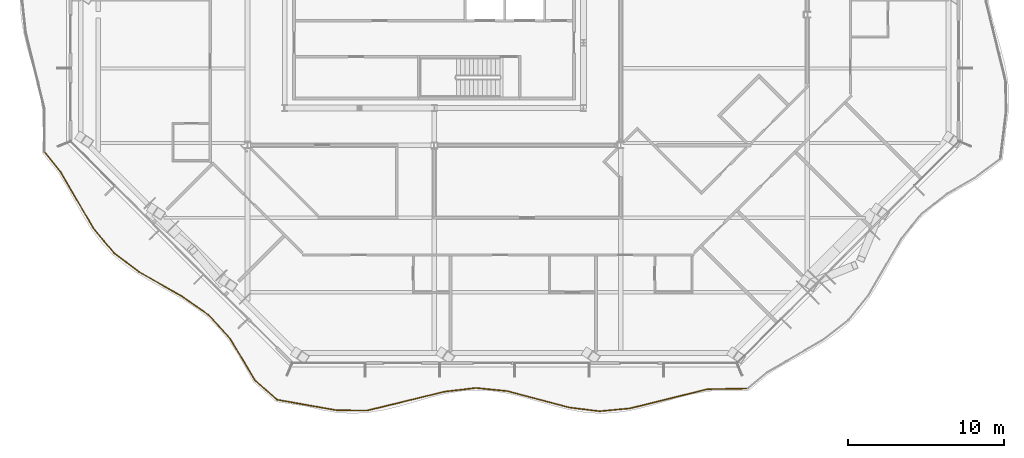
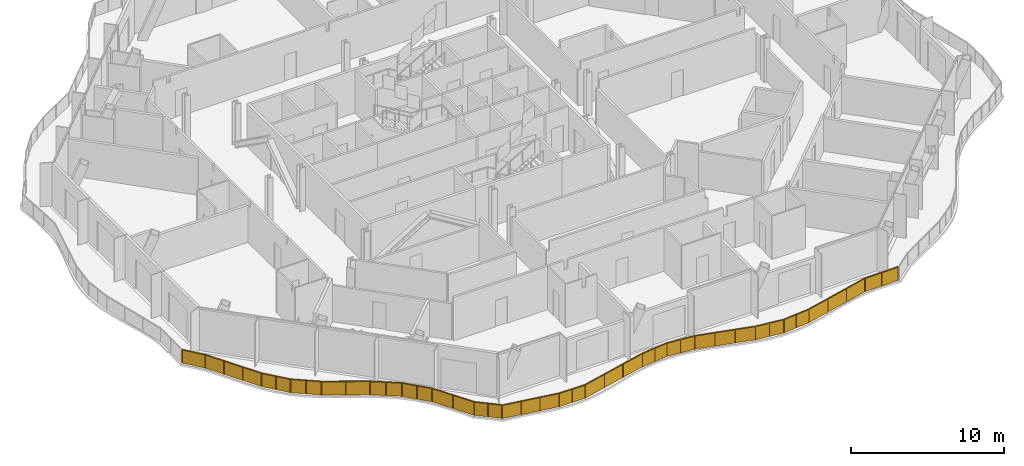
# One storey, part 14 of 19: 2 railings.
"""IFC4 building model written with IfcOpenShell, lengths in metres."""

from ifc_helpers import new_model, si_unit, direction, frame, origin, origin_2d, place, context, subcontext, project, spatial, polyline, rectangle, outline, extrude, material, type_object, element, save


model = new_model("IFC4")

# Units and contexts
model_context = context("Model", 3, precision=1e-05, world=origin(), true_north=direction((0.0, 1.0)))
body_context = subcontext(model_context, "Body", "Model", "MODEL_VIEW")
ifc_project = project(units=[si_unit("LENGTHUNIT", "METRE"), si_unit("AREAUNIT", "SQUARE_METRE"), si_unit("VOLUMEUNIT", "CUBIC_METRE"), si_unit("PLANEANGLEUNIT", "RADIAN"), si_unit("MASSUNIT", "GRAM", prefix="KILO")], contexts=[model_context])

# Site, building, storey
site_placement = place(None, origin())
site = spatial("IfcSite", under=ifc_project, at=site_placement, CompositionType="ELEMENT")
building_placement = place(site_placement, origin())
building = spatial("IfcBuilding", under=site, at=building_placement, Name="Cairn Pilgrim Tower", CompositionType="ELEMENT")
storey_placement = place(building_placement, frame((0.0, 0.0, 190.199951171875)))
storey = spatial("IfcBuildingStorey", under=building, at=storey_placement, Name="L48", CompositionType="ELEMENT", Elevation=190.199951171875)

# Railings
ifc_material = material(Name="Bronze anodised aluminium rail and posts with laminated glass infill", Category="aluminium")
railing_type = type_object("IfcRailingType", Name="BALCONY GUARD 1100", PredefinedType="GUARDRAIL", material=ifc_material)
railing_1_placement = place(storey_placement, frame((-17.84326171875, -8.84619140625, 0.0)))
element("IfcRailing", 1, at=railing_1_placement, inside=storey, type_object=railing_type, Name="Balcony guard BG-2", PredefinedType="GUARDRAIL", context=body_context, shape_type="SweptSolid", body=[
    extrude(rectangle(XDim=0.050048828125, YDim=0.050048828125, at=origin_2d()), frame((0.0, 0.0, 1.0751953125), z_axis=(0.62927121913, -0.777185777517, 0.0), x_axis=(0.777185777517, 0.62927121913, 0.0)), (0.0, 0.0, 1.0), 1.6357421875),
    extrude(rectangle(XDim=0.050048828125, YDim=0.050048828125, at=origin_2d()), frame((1.029296875, -1.271240234375, 1.0751953125), z_axis=(0.503445573056, -0.864026941113, 0.0), x_axis=(0.864026941113, 0.503445573056, 0.0)), (0.0, 0.0, 1.0), 4.210693359375),
    extrude(rectangle(XDim=0.050048828125, YDim=0.050048828125, at=origin_2d()), frame((3.149169921875, -4.909423828125, 1.0751953125), z_axis=(0.642148671766, -0.766580121937, 0.0), x_axis=(0.766580121937, 0.642148671766, 0.0)), (0.0, 0.0, 1.0), 2.01513671875),
    extrude(rectangle(XDim=0.050048828125, YDim=0.050048828125, at=origin_2d()), frame((4.443115234375, -6.4541015625, 1.0751953125), z_axis=(0.794856499993, -0.606797449252, 0.0), x_axis=(0.606797449252, 0.794856499993, 0.0)), (0.0, 0.0, 1.0), 2.02783203125),
    extrude(rectangle(XDim=0.050048828125, YDim=0.050048828125, at=origin_2d()), frame((6.054931640625, -7.6845703125, 1.0751953125), z_axis=(0.869875515551, -0.493271312205, 0.0), x_axis=(0.493271312205, 0.869875515551, 0.0)), (0.0, 0.0, 1.0), 3.166259765625),
    extrude(rectangle(XDim=0.050048828125, YDim=0.050048828125, at=origin_2d()), frame((8.80908203125, -9.246337890625, 1.0751953125), z_axis=(0.818237718742, -0.574880018463, 0.0), x_axis=(0.574880018463, 0.818237718742, 0.0)), (0.0, 0.0, 1.0), 2.0908203125),
    extrude(rectangle(XDim=0.050048828125, YDim=0.050048828125, at=origin_2d()), frame((10.519775390625, -10.4482421875, 1.0751953125), z_axis=(0.677373311825, -0.735639447302, 0.0), x_axis=(0.735639447302, 0.677373311825, 0.0)), (0.0, 0.0, 1.0), 2.06982421875),
    extrude(rectangle(XDim=0.050048828125, YDim=0.050048828125, at=origin_2d()), frame((11.921875, -11.970947265625, 1.0751953125), z_axis=(0.512632145142, -0.85860834131, 0.0), x_axis=(0.85860834131, 0.512632145142, 0.0)), (0.0, 0.0, 1.0), 3.142333984375),
    extrude(rectangle(XDim=0.050048828125, YDim=0.050048828125, at=origin_2d()), frame((13.53271484375, -14.6689453125, 1.0751953125), z_axis=(0.752287169456, -0.658835347163, 0.0), x_axis=(0.658835347163, 0.752287169456, 0.0)), (0.0, 0.0, 1.0), 1.82861328125),
    extrude(rectangle(XDim=0.050048828125, YDim=0.050048828125, at=origin_2d()), origin(), (0.0, 0.0, 1.0), 1.050048828125),
    extrude(rectangle(XDim=0.050048828125, YDim=0.050048828125, at=origin_2d()), frame((1.029296875, -1.271240234375, 0.0)), (0.0, 0.0, 1.0), 1.050048828125),
    extrude(rectangle(XDim=0.050048828125, YDim=0.050048828125, at=origin_2d()), frame((1.73583984375, -2.48388671875, 0.0)), (0.0, 0.0, 1.0), 1.050048828125),
    extrude(rectangle(XDim=0.050048828125, YDim=0.050048828125, at=origin_2d()), frame((2.442626953125, -3.69677734375, 0.0)), (0.0, 0.0, 1.0), 1.050048828125),
    extrude(rectangle(XDim=0.050048828125, YDim=0.050048828125, at=origin_2d()), frame((3.149169921875, -4.909423828125, 0.0)), (0.0, 0.0, 1.0), 1.050048828125),
    extrude(rectangle(XDim=0.050048828125, YDim=0.050048828125, at=origin_2d()), frame((3.796142578125, -5.681640625, 0.0)), (0.0, 0.0, 1.0), 1.050048828125),
    extrude(rectangle(XDim=0.050048828125, YDim=0.050048828125, at=origin_2d()), frame((4.443115234375, -6.4541015625, 0.0)), (0.0, 0.0, 1.0), 1.050048828125),
    extrude(rectangle(XDim=0.050048828125, YDim=0.050048828125, at=origin_2d()), frame((5.2490234375, -7.0693359375, 0.0)), (0.0, 0.0, 1.0), 1.050048828125),
    extrude(rectangle(XDim=0.050048828125, YDim=0.050048828125, at=origin_2d()), frame((6.054931640625, -7.6845703125, 0.0)), (0.0, 0.0, 1.0), 1.050048828125),
    extrude(rectangle(XDim=0.050048828125, YDim=0.050048828125, at=origin_2d()), frame((7.43212890625, -8.46533203125, 0.0)), (0.0, 0.0, 1.0), 1.050048828125),
    extrude(rectangle(XDim=0.050048828125, YDim=0.050048828125, at=origin_2d()), frame((8.80908203125, -9.246337890625, 0.0)), (0.0, 0.0, 1.0), 1.050048828125),
    extrude(rectangle(XDim=0.050048828125, YDim=0.050048828125, at=origin_2d()), frame((9.66455078125, -9.84716796875, 0.0)), (0.0, 0.0, 1.0), 1.050048828125),
    extrude(rectangle(XDim=0.050048828125, YDim=0.050048828125, at=origin_2d()), frame((10.519775390625, -10.4482421875, 0.0)), (0.0, 0.0, 1.0), 1.050048828125),
    extrude(rectangle(XDim=0.050048828125, YDim=0.050048828125, at=origin_2d()), frame((11.220703125, -11.20947265625, 0.0)), (0.0, 0.0, 1.0), 1.050048828125),
    extrude(rectangle(XDim=0.050048828125, YDim=0.050048828125, at=origin_2d()), frame((11.921875, -11.970947265625, 0.0)), (0.0, 0.0, 1.0), 1.050048828125),
    extrude(rectangle(XDim=0.050048828125, YDim=0.050048828125, at=origin_2d()), frame((12.727294921875, -13.31982421875, 0.0)), (0.0, 0.0, 1.0), 1.050048828125),
    extrude(rectangle(XDim=0.050048828125, YDim=0.050048828125, at=origin_2d()), frame((13.53271484375, -14.6689453125, 0.0)), (0.0, 0.0, 1.0), 1.050048828125),
    extrude(rectangle(XDim=0.050048828125, YDim=0.050048828125, at=origin_2d()), frame((14.220703125, -15.271484375, 0.0)), (0.0, 0.0, 1.0), 1.050048828125),
    extrude(rectangle(XDim=0.050048828125, YDim=0.050048828125, at=origin_2d()), frame((14.908447265625, -15.873779296875, 0.0)), (0.0, 0.0, 1.0), 1.050048828125),
    extrude(outline(polyline([(0.02490234375, 0.0), (1.610595703125, 0.0), (1.610595703125, 1.050048828125), (0.02490234375, 1.050048828125), (0.02490234375, 0.0)])), frame((0.004638671875, 0.003662109375, 0.0), z_axis=(-0.777185777517, -0.62927121913, 0.0), x_axis=(0.62927121913, -0.777185777517, 0.0)), (0.0, 0.0, 1.0), 0.011962890625),
    extrude(outline(polyline([(0.02490234375, 0.0), (1.378662109375, 0.0), (1.378662109375, 1.050048828125), (0.02490234375, 1.050048828125), (0.02490234375, 0.0)])), frame((1.034423828125, -1.268310546875, 0.0), z_axis=(-0.864026941113, -0.503445573056, 0.0), x_axis=(0.503445573056, -0.864026941113, 0.0)), (0.0, 0.0, 1.0), 0.011962890625),
    extrude(outline(polyline([(0.02490234375, 0.0), (1.378662109375, 0.0), (1.378662109375, 1.050048828125), (0.02490234375, 1.050048828125), (0.02490234375, 0.0)])), frame((1.7412109375, -2.48095703125, 0.0), z_axis=(-0.864026941113, -0.503445573056, 0.0), x_axis=(0.503445573056, -0.864026941113, 0.0)), (0.0, 0.0, 1.0), 0.011962890625),
    extrude(outline(polyline([(0.02490234375, 0.0), (1.378662109375, 0.0), (1.378662109375, 1.050048828125), (0.02490234375, 1.050048828125), (0.02490234375, 0.0)])), frame((2.44775390625, -3.693603515625, 0.0), z_axis=(-0.864026941113, -0.503445573056, 0.0), x_axis=(0.503445573056, -0.864026941113, 0.0)), (0.0, 0.0, 1.0), 0.011962890625),
    extrude(outline(polyline([(0.02490234375, 0.0), (0.982421875, 0.0), (0.982421875, 1.050048828125), (0.02490234375, 1.050048828125), (0.02490234375, 0.0)])), frame((3.15380859375, -4.905517578125, 0.0), z_axis=(-0.766580121937, -0.642148671766, 0.0), x_axis=(0.642148671766, -0.766580121937, 0.0)), (0.0, 0.0, 1.0), 0.011962890625),
    extrude(outline(polyline([(0.02490234375, 0.0), (0.982421875, 0.0), (0.982421875, 1.050048828125), (0.02490234375, 1.050048828125), (0.02490234375, 0.0)])), frame((3.80078125, -5.677978515625, 0.0), z_axis=(-0.766580121937, -0.642148671766, 0.0), x_axis=(0.642148671766, -0.766580121937, 0.0)), (0.0, 0.0, 1.0), 0.011962890625),
    extrude(outline(polyline([(0.02490234375, 0.0), (0.98876953125, 0.0), (0.98876953125, 1.050048828125), (0.02490234375, 1.050048828125), (0.02490234375, 0.0)])), frame((4.44677734375, -6.449462890625, 0.0), z_axis=(-0.606797449252, -0.794856499993, 0.0), x_axis=(0.794856499993, -0.606797449252, 0.0)), (0.0, 0.0, 1.0), 0.011962890625),
    extrude(outline(polyline([(0.02490234375, 0.0), (0.98876953125, 0.0), (0.98876953125, 1.050048828125), (0.02490234375, 1.050048828125), (0.02490234375, 0.0)])), frame((5.252685546875, -7.064697265625, 0.0), z_axis=(-0.606797449252, -0.794856499993, 0.0), x_axis=(0.794856499993, -0.606797449252, 0.0)), (0.0, 0.0, 1.0), 0.011962890625),
    extrude(outline(polyline([(0.02490234375, 0.0), (1.55810546875, 0.0), (1.55810546875, 1.050048828125), (0.02490234375, 1.050048828125), (0.02490234375, 0.0)])), frame((6.057861328125, -7.679443359375, 0.0), z_axis=(-0.493271312205, -0.869875515551, 0.0), x_axis=(0.869875515551, -0.493271312205, 0.0)), (0.0, 0.0, 1.0), 0.011962890625),
    extrude(outline(polyline([(0.02490234375, 0.0), (1.55810546875, 0.0), (1.55810546875, 1.050048828125), (0.02490234375, 1.050048828125), (0.02490234375, 0.0)])), frame((7.43505859375, -8.460205078125, 0.0), z_axis=(-0.493271312205, -0.869875515551, 0.0), x_axis=(0.869875515551, -0.493271312205, 0.0)), (0.0, 0.0, 1.0), 0.011962890625),
    extrude(outline(polyline([(0.02490234375, 0.0), (1.020263671875, 0.0), (1.020263671875, 1.050048828125), (0.02490234375, 1.050048828125), (0.02490234375, 0.0)])), frame((8.8125, -9.241455078125, 0.0), z_axis=(-0.574880018463, -0.818237718742, 0.0), x_axis=(0.818237718742, -0.574880018463, 0.0)), (0.0, 0.0, 1.0), 0.011962890625),
    extrude(outline(polyline([(0.02490234375, 0.0), (1.020263671875, 0.0), (1.020263671875, 1.050048828125), (0.02490234375, 1.050048828125), (0.02490234375, 0.0)])), frame((9.66796875, -9.84228515625, 0.0), z_axis=(-0.574880018463, -0.818237718742, 0.0), x_axis=(0.818237718742, -0.574880018463, 0.0)), (0.0, 0.0, 1.0), 0.011962890625),
    extrude(outline(polyline([(0.02490234375, 0.0), (1.010009765625, 0.0), (1.010009765625, 1.050048828125), (0.02490234375, 1.050048828125), (0.02490234375, 0.0)])), frame((10.524169921875, -10.444091796875, 0.0), z_axis=(-0.735639447302, -0.677373311825, 0.0), x_axis=(0.677373311825, -0.735639447302, 0.0)), (0.0, 0.0, 1.0), 0.011962890625),
    extrude(outline(polyline([(0.02490234375, 0.0), (1.010009765625, 0.0), (1.010009765625, 1.050048828125), (0.02490234375, 1.050048828125), (0.02490234375, 0.0)])), frame((11.225341796875, -11.20556640625, 0.0), z_axis=(-0.735639447302, -0.677373311825, 0.0), x_axis=(0.677373311825, -0.735639447302, 0.0)), (0.0, 0.0, 1.0), 0.011962890625),
    extrude(outline(polyline([(0.02490234375, 0.0), (1.546142578125, 0.0), (1.546142578125, 1.050048828125), (0.02490234375, 1.050048828125), (0.02490234375, 0.0)])), frame((11.927001953125, -11.9677734375, 0.0), z_axis=(-0.85860834131, -0.512632145142, 0.0), x_axis=(0.512632145142, -0.85860834131, 0.0)), (0.0, 0.0, 1.0), 0.011962890625),
    extrude(outline(polyline([(0.02490234375, 0.0), (1.546142578125, 0.0), (1.546142578125, 1.050048828125), (0.02490234375, 1.050048828125), (0.02490234375, 0.0)])), frame((12.732421875, -13.31689453125, 0.0), z_axis=(-0.85860834131, -0.512632145142, 0.0), x_axis=(0.512632145142, -0.85860834131, 0.0)), (0.0, 0.0, 1.0), 0.011962890625),
    extrude(outline(polyline([(0.02490234375, 0.0), (0.889404296875, 0.0), (0.889404296875, 1.050048828125), (0.02490234375, 1.050048828125), (0.02490234375, 0.0)])), frame((13.53662109375, -14.66455078125, 0.0), z_axis=(-0.658835347163, -0.752287169456, 0.0), x_axis=(0.752287169456, -0.658835347163, 0.0)), (0.0, 0.0, 1.0), 0.011962890625),
    extrude(outline(polyline([(0.02490234375, 0.0), (0.889404296875, 0.0), (0.889404296875, 1.050048828125), (0.02490234375, 1.050048828125), (0.02490234375, 0.0)])), frame((14.224609375, -15.266845703125, 0.0), z_axis=(-0.658835347163, -0.752287169456, 0.0), x_axis=(0.752287169456, -0.658835347163, 0.0)), (0.0, 0.0, 1.0), 0.011962890625),
])
railing_2_placement = place(storey_placement, frame((-2.8896484375, -24.759521484375, 0.0)))
element("IfcRailing", 2, at=railing_2_placement, inside=storey, type_object=railing_type, Name="Balcony guard BG-3", PredefinedType="GUARDRAIL", context=body_context, shape_type="SweptSolid", body=[
    extrude(rectangle(XDim=0.050048828125, YDim=0.050048828125, at=origin_2d()), frame((0.0, 0.0, 1.0751953125), z_axis=(0.984764729486, -0.1738919997, 0.0), x_axis=(0.1738919997, 0.984764729486, 0.0)), (0.0, 0.0, 1.0), 3.9169921875),
    extrude(rectangle(XDim=0.050048828125, YDim=0.050048828125, at=origin_2d()), frame((3.857421875, -0.68115234375, 1.0751953125), z_axis=(0.999995125757, -0.003122252797, 0.0), x_axis=(0.003122252797, 0.999995125757, 0.0)), (0.0, 0.0, 1.0), 1.954833984375),
    extrude(rectangle(XDim=0.050048828125, YDim=0.050048828125, at=origin_2d()), frame((5.812255859375, -0.687255859375, 1.0751953125), z_axis=(0.971453673473, 0.237229341136, 0.0), x_axis=(-0.237229341136, 0.971453673473, 0.0)), (0.0, 0.0, 1.0), 5.1025390625),
    extrude(rectangle(XDim=0.050048828125, YDim=0.050048828125, at=origin_2d()), frame((10.76904296875, 0.523193359375, 1.0751953125), z_axis=(0.993140727077, 0.116925173597, 0.0), x_axis=(-0.116925173597, 0.993140727077, 0.0)), (0.0, 0.0, 1.0), 2.025390625),
    extrude(rectangle(XDim=0.050048828125, YDim=0.050048828125, at=origin_2d()), frame((12.780517578125, 0.760009765625, 1.0751953125), z_axis=(0.994990516687, -0.099969353816, 0.0), x_axis=(0.099969353816, 0.994990516687, 0.0)), (0.0, 0.0, 1.0), 2.024658203125),
    extrude(rectangle(XDim=0.050048828125, YDim=0.050048828125, at=origin_2d()), frame((14.794921875, 0.5576171875, 1.0751953125), z_axis=(0.966556451617, -0.256453944866, 0.0), x_axis=(0.256453944866, 0.966556451617, 0.0)), (0.0, 0.0, 1.0), 4.111572265625),
    extrude(rectangle(XDim=0.050048828125, YDim=0.050048828125, at=origin_2d()), frame((18.76904296875, -0.496826171875, 1.0751953125), z_axis=(0.992480075681, -0.122406288143, 0.0), x_axis=(0.122406288143, 0.992480075681, 0.0)), (0.0, 0.0, 1.0), 1.974609375),
    extrude(rectangle(XDim=0.050048828125, YDim=0.050048828125, at=origin_2d()), frame((20.728759765625, -0.738525390625, 1.0751953125), z_axis=(0.9955560495, 0.094170867594, 0.0), x_axis=(-0.094170867594, 0.9955560495, 0.0)), (0.0, 0.0, 1.0), 1.9677734375),
    extrude(rectangle(XDim=0.050048828125, YDim=0.050048828125, at=origin_2d()), frame((22.687744140625, -0.55322265625, 1.0751953125), z_axis=(0.970617307134, 0.240628433671, 0.0), x_axis=(-0.240628433671, 0.970617307134, 0.0)), (0.0, 0.0, 1.0), 5.12158203125),
    extrude(rectangle(XDim=0.050048828125, YDim=0.050048828125, at=origin_2d()), frame((27.658935546875, 0.67919921875, 1.0751953125), z_axis=(0.999863517637, 0.016521080444, 0.0), x_axis=(-0.016521080444, 0.999863517637, 0.0)), (0.0, 0.0, 1.0), 2.52685546875),
    extrude(rectangle(XDim=0.050048828125, YDim=0.050048828125, at=origin_2d()), origin(), (0.0, 0.0, 1.0), 1.050048828125),
    extrude(rectangle(XDim=0.050048828125, YDim=0.050048828125, at=origin_2d()), frame((1.285888671875, -0.22705078125, 0.0)), (0.0, 0.0, 1.0), 1.050048828125),
    extrude(rectangle(XDim=0.050048828125, YDim=0.050048828125, at=origin_2d()), frame((2.571533203125, -0.4541015625, 0.0)), (0.0, 0.0, 1.0), 1.050048828125),
    extrude(rectangle(XDim=0.050048828125, YDim=0.050048828125, at=origin_2d()), frame((3.857421875, -0.68115234375, 0.0)), (0.0, 0.0, 1.0), 1.050048828125),
    extrude(rectangle(XDim=0.050048828125, YDim=0.050048828125, at=origin_2d()), frame((4.8349609375, -0.68408203125, 0.0)), (0.0, 0.0, 1.0), 1.050048828125),
    extrude(rectangle(XDim=0.050048828125, YDim=0.050048828125, at=origin_2d()), frame((5.812255859375, -0.687255859375, 0.0)), (0.0, 0.0, 1.0), 1.050048828125),
    extrude(rectangle(XDim=0.050048828125, YDim=0.050048828125, at=origin_2d()), frame((7.464599609375, -0.28369140625, 0.0)), (0.0, 0.0, 1.0), 1.050048828125),
    extrude(rectangle(XDim=0.050048828125, YDim=0.050048828125, at=origin_2d()), frame((9.11669921875, 0.11962890625, 0.0)), (0.0, 0.0, 1.0), 1.050048828125),
    extrude(rectangle(XDim=0.050048828125, YDim=0.050048828125, at=origin_2d()), frame((10.76904296875, 0.523193359375, 0.0)), (0.0, 0.0, 1.0), 1.050048828125),
    extrude(rectangle(XDim=0.050048828125, YDim=0.050048828125, at=origin_2d()), frame((11.77490234375, 0.6416015625, 0.0)), (0.0, 0.0, 1.0), 1.050048828125),
    extrude(rectangle(XDim=0.050048828125, YDim=0.050048828125, at=origin_2d()), frame((12.780517578125, 0.760009765625, 0.0)), (0.0, 0.0, 1.0), 1.050048828125),
    extrude(rectangle(XDim=0.050048828125, YDim=0.050048828125, at=origin_2d()), frame((13.78759765625, 0.65869140625, 0.0)), (0.0, 0.0, 1.0), 1.050048828125),
    extrude(rectangle(XDim=0.050048828125, YDim=0.050048828125, at=origin_2d()), frame((14.794921875, 0.5576171875, 0.0)), (0.0, 0.0, 1.0), 1.050048828125),
    extrude(rectangle(XDim=0.050048828125, YDim=0.050048828125, at=origin_2d()), frame((16.11962890625, 0.2060546875, 0.0)), (0.0, 0.0, 1.0), 1.050048828125),
    extrude(rectangle(XDim=0.050048828125, YDim=0.050048828125, at=origin_2d()), frame((17.4443359375, -0.145263671875, 0.0)), (0.0, 0.0, 1.0), 1.050048828125),
    extrude(rectangle(XDim=0.050048828125, YDim=0.050048828125, at=origin_2d()), frame((18.76904296875, -0.496826171875, 0.0)), (0.0, 0.0, 1.0), 1.050048828125),
    extrude(rectangle(XDim=0.050048828125, YDim=0.050048828125, at=origin_2d()), frame((19.7490234375, -0.61767578125, 0.0)), (0.0, 0.0, 1.0), 1.050048828125),
    extrude(rectangle(XDim=0.050048828125, YDim=0.050048828125, at=origin_2d()), frame((20.728759765625, -0.738525390625, 0.0)), (0.0, 0.0, 1.0), 1.050048828125),
    extrude(rectangle(XDim=0.050048828125, YDim=0.050048828125, at=origin_2d()), frame((21.708251953125, -0.64599609375, 0.0)), (0.0, 0.0, 1.0), 1.050048828125),
    extrude(rectangle(XDim=0.050048828125, YDim=0.050048828125, at=origin_2d()), frame((22.687744140625, -0.55322265625, 0.0)), (0.0, 0.0, 1.0), 1.050048828125),
    extrude(rectangle(XDim=0.050048828125, YDim=0.050048828125, at=origin_2d()), frame((24.3447265625, -0.142333984375, 0.0)), (0.0, 0.0, 1.0), 1.050048828125),
    extrude(rectangle(XDim=0.050048828125, YDim=0.050048828125, at=origin_2d()), frame((26.001953125, 0.268310546875, 0.0)), (0.0, 0.0, 1.0), 1.050048828125),
    extrude(rectangle(XDim=0.050048828125, YDim=0.050048828125, at=origin_2d()), frame((27.658935546875, 0.67919921875, 0.0)), (0.0, 0.0, 1.0), 1.050048828125),
    extrude(rectangle(XDim=0.050048828125, YDim=0.050048828125, at=origin_2d()), frame((28.92236328125, 0.7001953125, 0.0)), (0.0, 0.0, 1.0), 1.050048828125),
    extrude(rectangle(XDim=0.050048828125, YDim=0.050048828125, at=origin_2d()), frame((30.185546875, 0.720947265625, 0.0)), (0.0, 0.0, 1.0), 1.050048828125),
    extrude(outline(polyline([(0.02490234375, 0.0), (1.28076171875, 0.0), (1.28076171875, 1.050048828125), (0.02490234375, 1.050048828125), (0.02490234375, 0.0)])), frame((0.0009765625, 0.005859375, 0.0), z_axis=(-0.1738919997, -0.984764729486, 0.0), x_axis=(0.984764729486, -0.1738919997, 0.0)), (0.0, 0.0, 1.0), 0.011962890625),
    extrude(outline(polyline([(0.02490234375, 0.0), (1.28076171875, 0.0), (1.28076171875, 1.050048828125), (0.02490234375, 1.050048828125), (0.02490234375, 0.0)])), frame((1.286865234375, -0.22119140625, 0.0), z_axis=(-0.1738919997, -0.984764729486, 0.0), x_axis=(0.984764729486, -0.1738919997, 0.0)), (0.0, 0.0, 1.0), 0.011962890625),
    extrude(outline(polyline([(0.02490234375, 0.0), (1.28076171875, 0.0), (1.28076171875, 1.050048828125), (0.02490234375, 1.050048828125), (0.02490234375, 0.0)])), frame((2.57275390625, -0.4482421875, 0.0), z_axis=(-0.1738919997, -0.984764729486, 0.0), x_axis=(0.984764729486, -0.1738919997, 0.0)), (0.0, 0.0, 1.0), 0.011962890625),
    extrude(outline(polyline([(0.02490234375, 0.0), (0.952392578125, 0.0), (0.952392578125, 1.050048828125), (0.02490234375, 1.050048828125), (0.02490234375, 0.0)])), frame((3.857421875, -0.67529296875, 0.0), z_axis=(-0.003122252797, -0.999995125757, 0.0), x_axis=(0.999995125757, -0.003122252797, 0.0)), (0.0, 0.0, 1.0), 0.011962890625),
    extrude(outline(polyline([(0.02490234375, 0.0), (0.952392578125, 0.0), (0.952392578125, 1.050048828125), (0.02490234375, 1.050048828125), (0.02490234375, 0.0)])), frame((4.8349609375, -0.67822265625, 0.0), z_axis=(-0.003122252797, -0.999995125757, 0.0), x_axis=(0.999995125757, -0.003122252797, 0.0)), (0.0, 0.0, 1.0), 0.011962890625),
    extrude(outline(polyline([(0.02490234375, 0.0), (1.67578125, 0.0), (1.67578125, 1.050048828125), (0.02490234375, 1.050048828125), (0.02490234375, 0.0)])), frame((5.810791015625, -0.681396484375, 0.0), z_axis=(0.237229341136, -0.971453673473, 0.0), x_axis=(0.971453673473, 0.237229341136, 0.0)), (0.0, 0.0, 1.0), 0.011962890625),
    extrude(outline(polyline([(0.02490234375, 0.0), (1.67578125, 0.0), (1.67578125, 1.050048828125), (0.02490234375, 1.050048828125), (0.02490234375, 0.0)])), frame((7.463134765625, -0.278076171875, 0.0), z_axis=(0.237229341136, -0.971453673473, 0.0), x_axis=(0.971453673473, 0.237229341136, 0.0)), (0.0, 0.0, 1.0), 0.011962890625),
    extrude(outline(polyline([(0.02490234375, 0.0), (1.67578125, 0.0), (1.67578125, 1.050048828125), (0.02490234375, 1.050048828125), (0.02490234375, 0.0)])), frame((9.115478515625, 0.12548828125, 0.0), z_axis=(0.237229341136, -0.971453673473, 0.0), x_axis=(0.971453673473, 0.237229341136, 0.0)), (0.0, 0.0, 1.0), 0.011962890625),
    extrude(outline(polyline([(0.02490234375, 0.0), (0.987548828125, 0.0), (0.987548828125, 1.050048828125), (0.02490234375, 1.050048828125), (0.02490234375, 0.0)])), frame((10.768310546875, 0.529052734375, 0.0), z_axis=(0.116925173597, -0.993140727077, 0.0), x_axis=(0.993140727077, 0.116925173597, 0.0)), (0.0, 0.0, 1.0), 0.011962890625),
    extrude(outline(polyline([(0.02490234375, 0.0), (0.987548828125, 0.0), (0.987548828125, 1.050048828125), (0.02490234375, 1.050048828125), (0.02490234375, 0.0)])), frame((11.774169921875, 0.6474609375, 0.0), z_axis=(0.116925173597, -0.993140727077, 0.0), x_axis=(0.993140727077, 0.116925173597, 0.0)), (0.0, 0.0, 1.0), 0.011962890625),
    extrude(outline(polyline([(0.02490234375, 0.0), (0.9873046875, 0.0), (0.9873046875, 1.050048828125), (0.02490234375, 1.050048828125), (0.02490234375, 0.0)])), frame((12.781005859375, 0.765869140625, 0.0), z_axis=(-0.099969353816, -0.994990516687, 0.0), x_axis=(0.994990516687, -0.099969353816, 0.0)), (0.0, 0.0, 1.0), 0.011962890625),
    extrude(outline(polyline([(0.02490234375, 0.0), (0.9873046875, 0.0), (0.9873046875, 1.050048828125), (0.02490234375, 1.050048828125), (0.02490234375, 0.0)])), frame((13.788330078125, 0.664794921875, 0.0), z_axis=(-0.099969353816, -0.994990516687, 0.0), x_axis=(0.994990516687, -0.099969353816, 0.0)), (0.0, 0.0, 1.0), 0.011962890625),
    extrude(outline(polyline([(0.02490234375, 0.0), (1.345458984375, 0.0), (1.345458984375, 1.050048828125), (0.02490234375, 1.050048828125), (0.02490234375, 0.0)])), frame((14.79638671875, 0.5634765625, 0.0), z_axis=(-0.256453944866, -0.966556451617, 0.0), x_axis=(0.966556451617, -0.256453944866, 0.0)), (0.0, 0.0, 1.0), 0.011962890625),
    extrude(outline(polyline([(0.02490234375, 0.0), (1.345458984375, 0.0), (1.345458984375, 1.050048828125), (0.02490234375, 1.050048828125), (0.02490234375, 0.0)])), frame((16.12109375, 0.2119140625, 0.0), z_axis=(-0.256453944866, -0.966556451617, 0.0), x_axis=(0.966556451617, -0.256453944866, 0.0)), (0.0, 0.0, 1.0), 0.011962890625),
    extrude(outline(polyline([(0.02490234375, 0.0), (1.345458984375, 0.0), (1.345458984375, 1.050048828125), (0.02490234375, 1.050048828125), (0.02490234375, 0.0)])), frame((17.44580078125, -0.1396484375, 0.0), z_axis=(-0.256453944866, -0.966556451617, 0.0), x_axis=(0.966556451617, -0.256453944866, 0.0)), (0.0, 0.0, 1.0), 0.011962890625),
    extrude(outline(polyline([(0.02490234375, 0.0), (0.962158203125, 0.0), (0.962158203125, 1.050048828125), (0.02490234375, 1.050048828125), (0.02490234375, 0.0)])), frame((18.769775390625, -0.490966796875, 0.0), z_axis=(-0.122406288143, -0.992480075681, 0.0), x_axis=(0.992480075681, -0.122406288143, 0.0)), (0.0, 0.0, 1.0), 0.011962890625),
    extrude(outline(polyline([(0.02490234375, 0.0), (0.962158203125, 0.0), (0.962158203125, 1.050048828125), (0.02490234375, 1.050048828125), (0.02490234375, 0.0)])), frame((19.74951171875, -0.61181640625, 0.0), z_axis=(-0.122406288143, -0.992480075681, 0.0), x_axis=(0.992480075681, -0.122406288143, 0.0)), (0.0, 0.0, 1.0), 0.011962890625),
    extrude(outline(polyline([(0.02490234375, 0.0), (0.958740234375, 0.0), (0.958740234375, 1.050048828125), (0.02490234375, 1.050048828125), (0.02490234375, 0.0)])), frame((20.728271484375, -0.732666015625, 0.0), z_axis=(0.094170867594, -0.9955560495, 0.0), x_axis=(0.9955560495, 0.094170867594, 0.0)), (0.0, 0.0, 1.0), 0.011962890625),
    extrude(outline(polyline([(0.02490234375, 0.0), (0.958740234375, 0.0), (0.958740234375, 1.050048828125), (0.02490234375, 1.050048828125), (0.02490234375, 0.0)])), frame((21.707763671875, -0.639892578125, 0.0), z_axis=(0.094170867594, -0.9955560495, 0.0), x_axis=(0.9955560495, 0.094170867594, 0.0)), (0.0, 0.0, 1.0), 0.011962890625),
    extrude(outline(polyline([(0.02490234375, 0.0), (1.68212890625, 0.0), (1.68212890625, 1.050048828125), (0.02490234375, 1.050048828125), (0.02490234375, 0.0)])), frame((22.686279296875, -0.54736328125, 0.0), z_axis=(0.240628433671, -0.970617307134, 0.0), x_axis=(0.970617307134, 0.240628433671, 0.0)), (0.0, 0.0, 1.0), 0.011962890625),
    extrude(outline(polyline([(0.02490234375, 0.0), (1.68212890625, 0.0), (1.68212890625, 1.050048828125), (0.02490234375, 1.050048828125), (0.02490234375, 0.0)])), frame((24.34326171875, -0.13671875, 0.0), z_axis=(0.240628433671, -0.970617307134, 0.0), x_axis=(0.970617307134, 0.240628433671, 0.0)), (0.0, 0.0, 1.0), 0.011962890625),
    extrude(outline(polyline([(0.02490234375, 0.0), (1.68212890625, 0.0), (1.68212890625, 1.050048828125), (0.02490234375, 1.050048828125), (0.02490234375, 0.0)])), frame((26.00048828125, 0.274169921875, 0.0), z_axis=(0.240628433671, -0.970617307134, 0.0), x_axis=(0.970617307134, 0.240628433671, 0.0)), (0.0, 0.0, 1.0), 0.011962890625),
    extrude(outline(polyline([(0.02490234375, 0.0), (1.238525390625, 0.0), (1.238525390625, 1.050048828125), (0.02490234375, 1.050048828125), (0.02490234375, 0.0)])), frame((27.658935546875, 0.68505859375, 0.0), z_axis=(0.016521080444, -0.999863517637, 0.0), x_axis=(0.999863517637, 0.016521080444, 0.0)), (0.0, 0.0, 1.0), 0.011962890625),
    extrude(outline(polyline([(0.02490234375, 0.0), (1.238525390625, 0.0), (1.238525390625, 1.050048828125), (0.02490234375, 1.050048828125), (0.02490234375, 0.0)])), frame((28.922119140625, 0.7060546875, 0.0), z_axis=(0.016521080444, -0.999863517637, 0.0), x_axis=(0.999863517637, 0.016521080444, 0.0)), (0.0, 0.0, 1.0), 0.011962890625),
])

save(model, "model.ifc")
